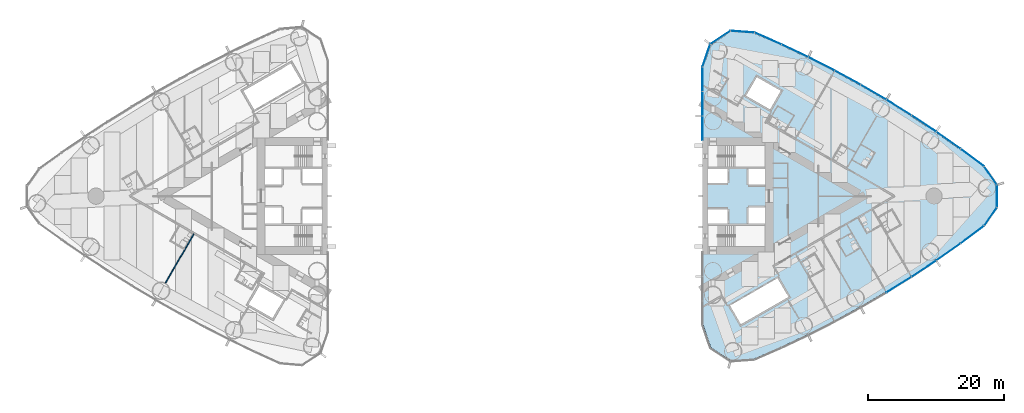
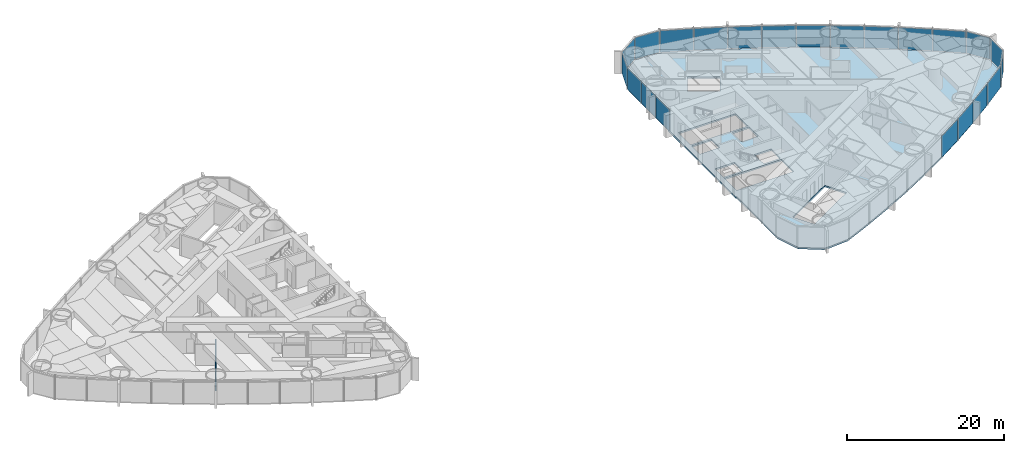
# One storey, part 10 of 18: 22 plates, 1 slab, 1 wall, 1 element without a shape of its own.
"""IFC4 building model written with IfcOpenShell, lengths in metres."""

from ifc_helpers import new_model, si_unit, direction, frame, frame_2d, origin, origin_2d, place, context, subcontext, project, spatial, polyline, rectangle, outline, extrude, material, layer, layer_set, type_object, element, aggregate, save


model = new_model("IFC4")

# Units and contexts
model_context = context("Model", 3, precision=1e-05, world=origin(), true_north=direction((0.0, 1.0)))
body_context = subcontext(model_context, "Body", "Model", "MODEL_VIEW")
ifc_project = project(units=[si_unit("LENGTHUNIT", "METRE"), si_unit("AREAUNIT", "SQUARE_METRE"), si_unit("VOLUMEUNIT", "CUBIC_METRE"), si_unit("PLANEANGLEUNIT", "RADIAN"), si_unit("MASSUNIT", "GRAM", prefix="KILO")], contexts=[model_context])

# Site, building, storey
site_placement = place(None, origin())
site = spatial("IfcSite", under=ifc_project, at=site_placement, CompositionType="ELEMENT")
building_placement = place(site_placement, origin())
building = spatial("IfcBuilding", under=site, at=building_placement, Name="Lancet Gate Hotel", CompositionType="ELEMENT")
storey_placement = place(building_placement, frame((0.0, 0.0, 94.10009765625)))
storey = spatial("IfcBuildingStorey", under=building, at=storey_placement, Name="L24", CompositionType="ELEMENT", Elevation=94.10009765625)

# Slab
ifc_material_1 = material(Name="Concrete C50/60", Category="concrete")
ifc_layer_1 = layer(ifc_material_1, 0.25)
ifc_layer_set_1 = layer_set([ifc_layer_1], Name="Floor slab 250")
slab_type = type_object("IfcSlabType", Name="Floor slab 250", PredefinedType="FLOOR", material=ifc_layer_set_1)
slab_placement = place(storey_placement, frame((0.0, 0.0, -0.25)))
element("IfcSlab", 1, at=slab_placement, inside=storey, type_object=slab_type, Name="T2 L24 floor slab", PredefinedType="FLOOR", context=body_context, shape_type="SweptSolid", body=[
    extrude(outline(polyline([(27.5, -8.60009765625), (27.6201171875, -8.60009765625), (27.6201171875, -18.923095703125), (28.7451171875, -22.22412109375), (31.63427734375, -24.1396484375), (35.112060546875, -23.890869140625), (39.0712890625, -22.150634765625), (42.996826171875, -20.29052734375), (46.867919921875, -18.31982421875), (50.681640625, -16.23974609375), (54.4345703125, -14.052490234375), (58.123779296875, -11.75927734375), (61.74658203125, -9.362548828125), (65.2998046875, -6.863525390625), (68.7666015625, -4.275390625), (70.627197265625, -1.6142578125), (70.627197265625, 1.6142578125), (68.7666015625, 4.275390625), (65.2998046875, 6.863525390625), (61.74658203125, 9.362548828125), (58.123779296875, 11.75927734375), (54.4345703125, 14.052490234375), (50.681640625, 16.23974609375), (46.867919921875, 18.31982421875), (42.996826171875, 20.29052734375), (39.0712890625, 22.150634765625), (35.112060546875, 23.890869140625), (31.63427734375, 24.1396484375), (28.7451171875, 22.22412109375), (27.6201171875, 18.923095703125), (27.6201171875, 8.60009765625), (27.5, 8.60009765625), (27.5, 8.199951171875), (27.5, -8.199951171875), (27.5, -8.60009765625)]), holes=[polyline([(36.699951171875, -7.39990234375), (36.699951171875, -4.300048828125), (28.300048828125, -4.300048828125), (28.300048828125, -7.39990234375), (36.699951171875, -7.39990234375)]), polyline([(28.300048828125, -4.0), (31.199951171875, -4.0), (31.199951171875, -1.89990234375), (28.300048828125, -1.89990234375), (28.300048828125, -4.0)]), polyline([(34.25, -4.0), (36.699951171875, -4.0), (36.699951171875, -1.64990234375), (34.25, -1.64990234375), (34.25, -4.0)]), polyline([(36.699951171875, 1.64990234375), (36.699951171875, 4.0), (34.25, 4.0), (34.25, 1.64990234375), (36.699951171875, 1.64990234375)]), polyline([(28.300048828125, 1.89990234375), (31.199951171875, 1.89990234375), (31.199951171875, 4.0), (28.300048828125, 4.0), (28.300048828125, 1.89990234375)]), polyline([(28.300048828125, 4.300048828125), (36.699951171875, 4.300048828125), (36.699951171875, 7.39990234375), (28.300048828125, 7.39990234375), (28.300048828125, 4.300048828125)]), polyline([(31.549072265625, -16.0810546875), (33.14892578125, -18.85205078125), (40.1640625, -14.802001953125), (38.56396484375, -12.031005859375), (31.549072265625, -16.0810546875)]), polyline([(33.887939453125, 14.73095703125), (37.43798828125, 12.680908203125), (39.0380859375, 15.451904296875), (35.488037109375, 17.501953125), (33.887939453125, 14.73095703125)])]), origin(), (0.0, 0.0, 1.0), 0.25),
])

# Curtain wall, plates
ifc_material_2 = material(Name="Aluminium curtain wall", Category="aluminium")
curtain_wall_type = type_object("IfcCurtainWallType", Name="Tower unitised curtain wall", PredefinedType="USERDEFINED", material=ifc_material_2)
curtain_wall_placement = place(storey_placement, origin())
curtain_wall = element("IfcCurtainWall", 2, at=curtain_wall_placement, inside=storey, type_object=curtain_wall_type, Name="T2 L24 curtain wall 1", ObjectType="UNITISED CURTAIN WALL", PredefinedType="USERDEFINED")
ifc_material_3 = material(Name="Glass double glazed unit 8-16-6", Category="glass")
ifc_layer_2 = layer(ifc_material_3, 0.030029296875)
ifc_layer_set_2 = layer_set([ifc_layer_2], Name="Vision panel double glazed")
plate_type = type_object("IfcPlateType", Name="Vision panel double glazed", PredefinedType="CURTAIN_PANEL", material=ifc_layer_set_2)
plate_1_placement = place(storey_placement, frame((56.342529296875, -13.0078125, -0.000244140625), z_axis=(0.0, 0.0, 1.0), x_axis=(0.849317759497, 0.527881940781, 0.0)))
plate_1 = element("IfcPlate", 3, at=plate_1_placement, type_object=plate_type, Name="T2 L24 curtain wall 1 panel 12", PredefinedType="CURTAIN_PANEL", context=body_context, shape_type="SweptSolid", body=[
    extrude(rectangle(XDim=4.2822265625, YDim=0.030029296875, at=origin_2d()), origin(), (0.0, 0.0, 1.0), 3.35009765625),
])
plate_2_placement = place(storey_placement, frame((60.00146484375, -10.660888671875, -0.000244140625), z_axis=(0.0, 0.0, 1.0), x_axis=(0.83398495346, 0.551787184885, 0.0)))
plate_2 = element("IfcPlate", 4, at=plate_2_placement, type_object=plate_type, Name="T2 L24 curtain wall 1 panel 13", PredefinedType="CURTAIN_PANEL", context=body_context, shape_type="SweptSolid", body=[
    extrude(rectangle(XDim=4.2822265625, YDim=0.030029296875, at=origin_2d()), origin(), (0.0, 0.0, 1.0), 3.35009765625),
])
plate_3_placement = place(storey_placement, frame((63.59228515625, -8.211181640625, -0.000244140625), z_axis=(0.0, 0.0, 1.0), x_axis=(0.817979492167, 0.57524738191, 0.0)))
plate_3 = element("IfcPlate", 5, at=plate_3_placement, type_object=plate_type, Name="T2 L24 curtain wall 1 panel 14", PredefinedType="CURTAIN_PANEL", context=body_context, shape_type="SweptSolid", body=[
    extrude(rectangle(XDim=4.2822265625, YDim=0.030029296875, at=origin_2d()), origin(), (0.0, 0.0, 1.0), 3.35009765625),
])
plate_4_placement = place(storey_placement, frame((67.112060546875, -5.660400390625, -0.000244140625), z_axis=(0.0, 0.0, 1.0), x_axis=(0.801314284905, 0.598243609917, 0.0)))
plate_4 = element("IfcPlate", 6, at=plate_4_placement, type_object=plate_type, Name="T2 L24 curtain wall 1 panel 15", PredefinedType="CURTAIN_PANEL", context=body_context, shape_type="SweptSolid", body=[
    extrude(rectangle(XDim=4.2822265625, YDim=0.030029296875, at=origin_2d()), origin(), (0.0, 0.0, 1.0), 3.35009765625),
])
plate_5_placement = place(storey_placement, frame((69.800537109375, -3.006103515625, -0.000244140625), z_axis=(0.0, 0.0, 1.0), x_axis=(0.573025075425, 0.819537834962, 0.0)))
plate_5 = element("IfcPlate", 7, at=plate_5_placement, type_object=plate_type, Name="T2 L24 curtain wall 1 panel 16", PredefinedType="CURTAIN_PANEL", context=body_context, shape_type="SweptSolid", body=[
    extrude(rectangle(XDim=3.2392578125, YDim=0.030029296875, at=origin_2d()), origin(), (0.0, 0.0, 1.0), 3.35009765625),
])
plate_6_placement = place(storey_placement, frame((70.747314453125, 0.0, -0.000244140625), z_axis=(0.0, 0.0, 1.0), x_axis=(0.0, 1.0, 0.0)))
plate_6 = element("IfcPlate", 8, at=plate_6_placement, type_object=plate_type, Name="T2 L24 curtain wall 1 panel 17", PredefinedType="CURTAIN_PANEL", context=body_context, shape_type="SweptSolid", body=[
    extrude(rectangle(XDim=3.2392578125, YDim=0.030029296875, at=origin_2d()), origin(), (0.0, 0.0, 1.0), 3.35009765625),
])
plate_7_placement = place(storey_placement, frame((69.800537109375, 3.006103515625, -0.000244140625), z_axis=(0.0, 0.0, 1.0), x_axis=(-0.573025075425, 0.819537834962, 0.0)))
plate_7 = element("IfcPlate", 9, at=plate_7_placement, type_object=plate_type, Name="T2 L24 curtain wall 1 panel 18", PredefinedType="CURTAIN_PANEL", context=body_context, shape_type="SweptSolid", body=[
    extrude(rectangle(XDim=3.2392578125, YDim=0.030029296875, at=origin_2d()), origin(), (0.0, 0.0, 1.0), 3.35009765625),
])
plate_8_placement = place(storey_placement, frame((67.112060546875, 5.660400390625, -0.000244140625), z_axis=(0.0, 0.0, 1.0), x_axis=(-0.801314284905, 0.598243609917, 0.0)))
plate_8 = element("IfcPlate", 10, at=plate_8_placement, type_object=plate_type, Name="T2 L24 curtain wall 1 panel 19", PredefinedType="CURTAIN_PANEL", context=body_context, shape_type="SweptSolid", body=[
    extrude(rectangle(XDim=4.2822265625, YDim=0.030029296875, at=origin_2d()), origin(), (0.0, 0.0, 1.0), 3.35009765625),
])
plate_9_placement = place(storey_placement, frame((63.59228515625, 8.211181640625, -0.000244140625), z_axis=(0.0, 0.0, 1.0), x_axis=(-0.817979492167, 0.57524738191, 0.0)))
plate_9 = element("IfcPlate", 11, at=plate_9_placement, type_object=plate_type, Name="T2 L24 curtain wall 1 panel 20", PredefinedType="CURTAIN_PANEL", context=body_context, shape_type="SweptSolid", body=[
    extrude(rectangle(XDim=4.2822265625, YDim=0.030029296875, at=origin_2d()), origin(), (0.0, 0.0, 1.0), 3.35009765625),
])
plate_10_placement = place(storey_placement, frame((60.00146484375, 10.660888671875, -0.000244140625), z_axis=(0.0, 0.0, 1.0), x_axis=(-0.83398495346, 0.551787184885, 0.0)))
plate_10 = element("IfcPlate", 12, at=plate_10_placement, type_object=plate_type, Name="T2 L24 curtain wall 1 panel 21", PredefinedType="CURTAIN_PANEL", context=body_context, shape_type="SweptSolid", body=[
    extrude(rectangle(XDim=4.2822265625, YDim=0.030029296875, at=origin_2d()), origin(), (0.0, 0.0, 1.0), 3.35009765625),
])
plate_11_placement = place(storey_placement, frame((56.342529296875, 13.0078125, -0.000244140625), z_axis=(0.0, 0.0, 1.0), x_axis=(-0.849317759497, 0.527881940781, 0.0)))
plate_11 = element("IfcPlate", 13, at=plate_11_placement, type_object=plate_type, Name="T2 L24 curtain wall 1 panel 22", PredefinedType="CURTAIN_PANEL", context=body_context, shape_type="SweptSolid", body=[
    extrude(rectangle(XDim=4.2822265625, YDim=0.030029296875, at=origin_2d()), origin(), (0.0, 0.0, 1.0), 3.35009765625),
])
plate_12_placement = place(storey_placement, frame((52.618408203125, 15.249755859375, -0.000244140625), z_axis=(0.0, 0.0, 1.0), x_axis=(-0.863965543499, 0.503550930538, 0.0)))
plate_12 = element("IfcPlate", 14, at=plate_12_placement, type_object=plate_type, Name="T2 L24 curtain wall 1 panel 23", PredefinedType="CURTAIN_PANEL", context=body_context, shape_type="SweptSolid", body=[
    extrude(rectangle(XDim=4.2822265625, YDim=0.030029296875, at=origin_2d()), origin(), (0.0, 0.0, 1.0), 3.35009765625),
])
plate_13_placement = place(storey_placement, frame((48.832275390625, 17.38525390625, -0.000244140625), z_axis=(0.0, 0.0, 1.0), x_axis=(-0.877916491224, 0.478813778454, 0.0)))
plate_13 = element("IfcPlate", 15, at=plate_13_placement, type_object=plate_type, Name="T2 L24 curtain wall 1 panel 24", PredefinedType="CURTAIN_PANEL", context=body_context, shape_type="SweptSolid", body=[
    extrude(rectangle(XDim=4.2822265625, YDim=0.030029296875, at=origin_2d()), origin(), (0.0, 0.0, 1.0), 3.35009765625),
])
plate_14_placement = place(storey_placement, frame((44.98681640625, 19.412109375, -0.000244140625), z_axis=(0.0, 0.0, 1.0), x_axis=(-0.891159350462, 0.453690436403, 0.0)))
plate_14 = element("IfcPlate", 16, at=plate_14_placement, type_object=plate_type, Name="T2 L24 curtain wall 1 panel 25", PredefinedType="CURTAIN_PANEL", context=body_context, shape_type="SweptSolid", body=[
    extrude(rectangle(XDim=4.2822265625, YDim=0.030029296875, at=origin_2d()), origin(), (0.0, 0.0, 1.0), 3.35009765625),
])
plate_15_placement = place(storey_placement, frame((41.08544921875, 21.3291015625, -0.000244140625), z_axis=(0.0, 0.0, 1.0), x_axis=(-0.903683440096, 0.428201167789, 0.0)))
plate_15 = element("IfcPlate", 17, at=plate_15_placement, type_object=plate_type, Name="T2 L24 curtain wall 1 panel 26", PredefinedType="CURTAIN_PANEL", context=body_context, shape_type="SweptSolid", body=[
    extrude(rectangle(XDim=4.2822265625, YDim=0.030029296875, at=origin_2d()), origin(), (0.0, 0.0, 1.0), 3.35009765625),
])
plate_16_placement = place(storey_placement, frame((37.13134765625, 23.13427734375, -0.000244140625), z_axis=(0.0, 0.0, 1.0), x_axis=(-0.915478658759, 0.40236653111, 0.0)))
plate_16 = element("IfcPlate", 18, at=plate_16_placement, type_object=plate_type, Name="T2 L24 curtain wall 1 panel 27", PredefinedType="CURTAIN_PANEL", context=body_context, shape_type="SweptSolid", body=[
    extrude(rectangle(XDim=4.2822265625, YDim=0.030029296875, at=origin_2d()), origin(), (0.0, 0.0, 1.0), 3.35009765625),
])
plate_17_placement = place(storey_placement, frame((33.37158203125, 24.1357421875, -0.000244140625), z_axis=(0.0, 0.0, 1.0), x_axis=(-0.997448492935, 0.07138980278, 0.0)))
plate_17 = element("IfcPlate", 19, at=plate_17_placement, type_object=plate_type, Name="T2 L24 curtain wall 1 panel 28", PredefinedType="CURTAIN_PANEL", context=body_context, shape_type="SweptSolid", body=[
    extrude(rectangle(XDim=3.4833984375, YDim=0.030029296875, at=origin_2d()), origin(), (0.0, 0.0, 1.0), 3.35009765625),
])
plate_18_placement = place(storey_placement, frame((30.123291015625, 23.281982421875, -0.000244140625), z_axis=(0.0, 0.0, 1.0), x_axis=(-0.833464516611, -0.552572981198, 0.0)))
plate_18 = element("IfcPlate", 20, at=plate_18_placement, type_object=plate_type, Name="T2 L24 curtain wall 1 panel 29", PredefinedType="CURTAIN_PANEL", context=body_context, shape_type="SweptSolid", body=[
    extrude(rectangle(XDim=3.4833984375, YDim=0.030029296875, at=origin_2d()), origin(), (0.0, 0.0, 1.0), 3.35009765625),
])
plate_19_placement = place(storey_placement, frame((28.072265625, 20.622314453125, -0.000244140625), z_axis=(0.0, 0.0, 1.0), x_axis=(-0.32257568891, -0.946543673015, 0.0)))
plate_19 = element("IfcPlate", 21, at=plate_19_placement, type_object=plate_type, Name="T2 L24 curtain wall 1 panel 30", PredefinedType="CURTAIN_PANEL", context=body_context, shape_type="SweptSolid", body=[
    extrude(rectangle(XDim=3.4833984375, YDim=0.030029296875, at=origin_2d()), origin(), (0.0, 0.0, 1.0), 3.35009765625),
])
plate_20_placement = place(storey_placement, frame((27.5, 17.15234375, -0.000244140625), z_axis=(0.0, 0.0, 1.0), x_axis=(0.0, -1.0, 0.0)))
plate_20 = element("IfcPlate", 22, at=plate_20_placement, type_object=plate_type, Name="T2 L24 curtain wall 1 panel 31", PredefinedType="CURTAIN_PANEL", context=body_context, shape_type="SweptSolid", body=[
    extrude(rectangle(XDim=3.515869140625, YDim=0.030029296875, at=origin_2d()), origin(), (0.0, 0.0, 1.0), 3.35009765625),
])
plate_21_placement = place(storey_placement, frame((27.5, 13.571533203125, -0.000244140625), z_axis=(0.0, 0.0, 1.0), x_axis=(0.0, -1.0, 0.0)))
plate_21 = element("IfcPlate", 23, at=plate_21_placement, type_object=plate_type, Name="T2 L24 curtain wall 1 panel 32", PredefinedType="CURTAIN_PANEL", context=body_context, shape_type="SweptSolid", body=[
    extrude(rectangle(XDim=3.515869140625, YDim=0.030029296875, at=origin_2d()), origin(), (0.0, 0.0, 1.0), 3.35009765625),
])
plate_22_placement = place(storey_placement, frame((27.5, 9.990478515625, -0.000244140625), z_axis=(0.0, 0.0, 1.0), x_axis=(0.0, -1.0, 0.0)))
plate_22 = element("IfcPlate", 24, at=plate_22_placement, type_object=plate_type, Name="T2 L24 curtain wall 1 panel 33", PredefinedType="CURTAIN_PANEL", context=body_context, shape_type="SweptSolid", body=[
    extrude(rectangle(XDim=3.515869140625, YDim=0.030029296875, at=origin_2d()), origin(), (0.0, 0.0, 1.0), 3.35009765625),
])
aggregate(curtain_wall, [plate_1, plate_2, plate_3, plate_4, plate_5, plate_6, plate_7, plate_8, plate_9, plate_10, plate_11, plate_12, plate_13, plate_14, plate_15, plate_16, plate_17, plate_18, plate_19, plate_20, plate_21, plate_22])

# Wall
ifc_material_4 = material(Name="Gypsum board partition")
ifc_layer_3 = layer(ifc_material_4, 0.14990234375)
ifc_layer_set_3 = layer_set([ifc_layer_3], Name="Party wall 150")
wall_type = type_object("IfcWallType", Name="Party wall 150", PredefinedType="PARTITIONING", material=ifc_layer_set_3)
wall_placement = place(storey_placement, frame((-47.151123046875, -5.552490234375, 0.0), z_axis=(0.0, 0.0, 1.0), x_axis=(-0.500003012045, -0.866023664773, 0.0)))
element("IfcWall", 25, at=wall_placement, inside=storey, type_object=wall_type, Name="T1 party wall 150 L24", PredefinedType="PARTITIONING", context=body_context, shape_type="SweptSolid", body=[
    extrude(rectangle(XDim=8.31103515625, YDim=0.14990234375, at=frame_2d((4.155517578125, 0.0))), origin(), (0.0, 0.0, 1.0), 2.199951171875),
])

save(model, "model.ifc")
